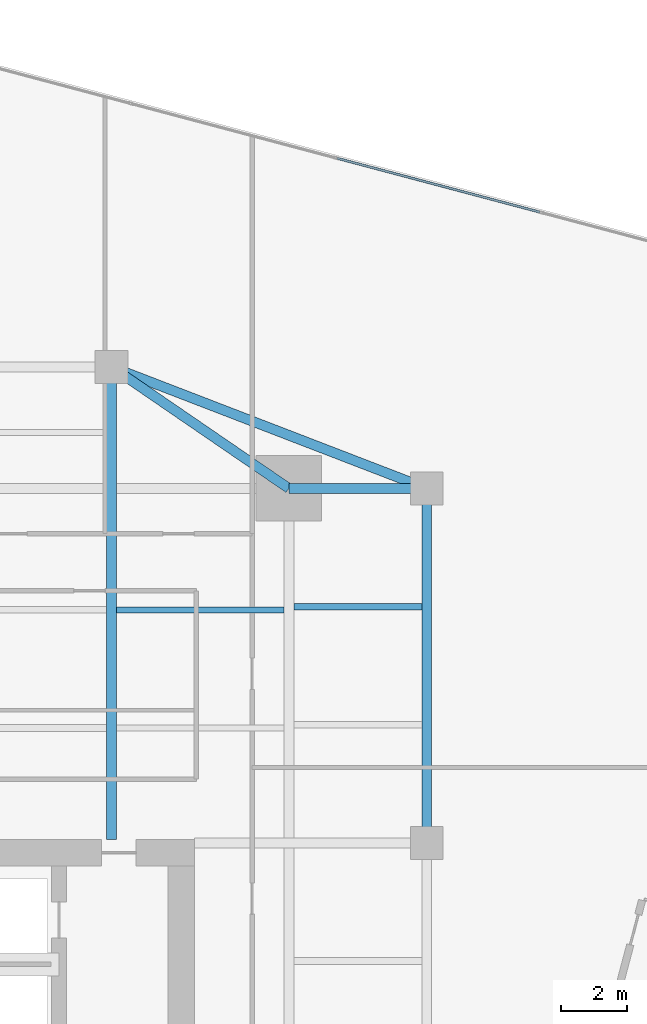
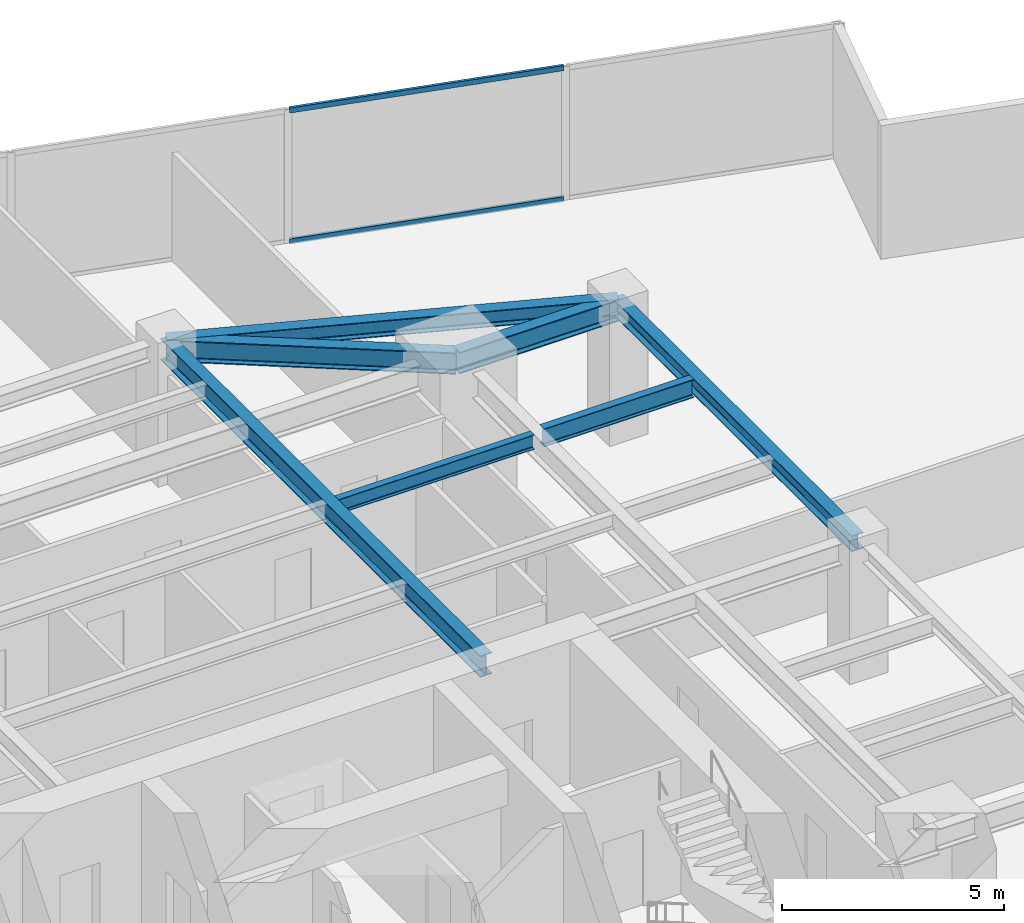
# One storey, part 19 of 27: 7 beams, 2 members, 1 element without a shape of its own.
"""IFC4 building model written with IfcOpenShell, lengths in metres."""

from ifc_helpers import new_model, si_unit, direction, frame, origin, origin_2d, place, context, subcontext, project, spatial, hollow_rectangle, i_section, extrude, source, transform, mapped, material, material_profile, profile_set, type_object, type_shapes, element, aggregate, save


model = new_model("IFC4")

# Units and contexts
model_context = context("Model", 3, precision=1e-05, world=origin(), true_north=direction((0.0, 1.0)))
body_context = subcontext(model_context, "Body", "Model", "MODEL_VIEW")
ifc_project = project(units=[si_unit("LENGTHUNIT", "METRE"), si_unit("AREAUNIT", "SQUARE_METRE"), si_unit("VOLUMEUNIT", "CUBIC_METRE"), si_unit("PLANEANGLEUNIT", "RADIAN"), si_unit("MASSUNIT", "GRAM", prefix="KILO")], contexts=[model_context])

# Site, building, storey
site_placement = place(None, origin())
site = spatial("IfcSite", under=ifc_project, at=site_placement, CompositionType="ELEMENT")
building_placement = place(site_placement, origin())
building = spatial("IfcBuilding", under=site, at=building_placement, Name="Krantzveldt Concourse Tower", CompositionType="ELEMENT")
storey_placement = place(building_placement, frame((0.0, 0.0, 101.89990234375)))
storey = spatial("IfcBuildingStorey", under=building, at=storey_placement, Name="L24", CompositionType="ELEMENT", Elevation=101.89990234375)

# Beams
ifc_material_1 = material(Name="Steel S355JR", Category="steel")
ifc_material_profile_1 = material_profile(ifc_material_1, i_section(OverallWidth=0.300048828125, OverallDepth=0.590087890625, WebThickness=0.012939453125, FlangeThickness=0.02490234375, FilletRadius=0.027099609375, at=origin_2d()), Name="Steel S355JR", Category="steel")
ifc_profile_set_1 = profile_set([ifc_material_profile_1], Name="Steel S355JR - HEA 600")
beam_type_1 = type_object("IfcBeamType", Name="BM-B-HEA600", PredefinedType="BEAM", material=ifc_profile_set_1)
shared_shape_1 = source(origin(), body_context, "Body", "SweptSolid", [
    extrude(i_section(OverallWidth=0.300048828125, OverallDepth=0.590087890625, WebThickness=0.012939453125, FlangeThickness=0.02490234375, FilletRadius=0.027099609375, at=origin_2d()), origin(), (0.0, 0.0, 1.0), 14.39990234375),
])
beam_1_placement = place(storey_placement, frame((41.39990234375, 26.800048828125, 3.375), z_axis=(0.0, 1.0, 0.0), x_axis=(-1.0, 0.0, 0.0)))
element("IfcBeam", 1, at=beam_1_placement, inside=storey, type_object=beam_type_1, Name="L24 Tower Girder BG-CNE", PredefinedType="BEAM", context=body_context, shape_type="MappedRepresentation", body=[
    mapped(shared_shape_1, transform((0.0, 0.0, 0.0), x_axis=(1.0, 0.0, 0.0), y_axis=(0.0, 1.0, 0.0), z_axis=(0.0, 0.0, 1.0), scale=1.0)),
])
ifc_material_profile_2 = material_profile(ifc_material_1, i_section(OverallWidth=0.300048828125, OverallDepth=0.43994140625, WebThickness=0.011474609375, FlangeThickness=0.02099609375, FilletRadius=0.027099609375, at=origin_2d()), Name="Steel S355JR", Category="steel")
ifc_profile_set_2 = profile_set([ifc_material_profile_2], Name="Steel S355JR - HEA 450")
beam_type_2 = type_object("IfcBeamType", Name="BM-SP-HEA450", PredefinedType="SPANDREL", material=ifc_profile_set_2)
shared_shape_2 = source(origin(), body_context, "Body", "SweptSolid", [
    extrude(i_section(OverallWidth=0.300048828125, OverallDepth=0.43994140625, WebThickness=0.011474609375, FlangeThickness=0.02099609375, FilletRadius=0.027099609375, at=origin_2d()), origin(), (0.0, 0.0, 1.0), 10.800048828125),
])
beam_2_placement = place(storey_placement, frame((51.0, 37.5, 3.4501953125), z_axis=(0.0, -1.0, 0.0), x_axis=(1.0, 0.0, 0.0)))
element("IfcBeam", 2, at=beam_2_placement, inside=storey, type_object=beam_type_2, Name="L24 Tower Girder SP-R06", PredefinedType="SPANDREL", context=body_context, shape_type="MappedRepresentation", body=[
    mapped(shared_shape_2, transform((0.0, 0.0, 0.0), x_axis=(1.0, 0.0, 0.0), y_axis=(0.0, 1.0, 0.0), z_axis=(0.0, 0.0, 1.0), scale=1.0)),
])
shared_shape_3 = source(origin(), body_context, "Body", "SweptSolid", [
    extrude(i_section(OverallWidth=0.300048828125, OverallDepth=0.43994140625, WebThickness=0.011474609375, FlangeThickness=0.02099609375, FilletRadius=0.027099609375, at=origin_2d()), origin(), (0.0, 0.0, 1.0), 10.288330078125),
])
type_shapes(beam_type_2, [shared_shape_2, shared_shape_3])
beam_3_placement = place(storey_placement, frame((41.39990234375, 41.199951171875, 3.4501953125), z_axis=(0.933097690408, -0.359622997257, 0.0), x_axis=(0.359622997257, 0.933097690408, 0.0)))
element("IfcBeam", 3, at=beam_3_placement, inside=storey, type_object=beam_type_2, Name="L24 Tower Girder SP-R05", PredefinedType="SPANDREL", context=body_context, shape_type="MappedRepresentation", body=[
    mapped(shared_shape_3, transform((0.0, 0.0, 0.0), x_axis=(1.0, 0.0, 0.0), y_axis=(0.0, 1.0, 0.0), z_axis=(0.0, 0.0, 1.0), scale=1.0)),
])
shared_shape_4 = source(origin(), body_context, "Body", "SweptSolid", [
    extrude(i_section(OverallWidth=0.300048828125, OverallDepth=0.590087890625, WebThickness=0.012939453125, FlangeThickness=0.02490234375, FilletRadius=0.027099609375, at=origin_2d()), origin(), (0.0, 0.0, 1.0), 4.199951171875),
])
beam_4_placement = place(storey_placement, frame((46.800048828125, 37.5, 3.375), z_axis=(1.0, 0.0, 0.0), x_axis=(0.0, 1.0, 0.0)))
element("IfcBeam", 4, at=beam_4_placement, inside=storey, type_object=beam_type_1, Name="L24 Tower Girder BR-RR3", PredefinedType="BEAM", context=body_context, shape_type="MappedRepresentation", body=[
    mapped(shared_shape_4, transform((0.0, 0.0, 0.0), x_axis=(1.0, 0.0, 0.0), y_axis=(0.0, 1.0, 0.0), z_axis=(0.0, 0.0, 1.0), scale=1.0)),
])
shared_shape_5 = source(origin(), body_context, "Body", "SweptSolid", [
    extrude(i_section(OverallWidth=0.300048828125, OverallDepth=0.590087890625, WebThickness=0.012939453125, FlangeThickness=0.02490234375, FilletRadius=0.027099609375, at=origin_2d()), origin(), (0.0, 0.0, 1.0), 6.546142578125),
])
type_shapes(beam_type_1, [shared_shape_1, shared_shape_4, shared_shape_5])
beam_5_placement = place(storey_placement, frame((46.800048828125, 37.5, 3.375), z_axis=(-0.824942999484, 0.565215930068, 0.0), x_axis=(-0.565215930068, -0.824942999484, 0.0)))
element("IfcBeam", 5, at=beam_5_placement, inside=storey, type_object=beam_type_1, Name="L24 Tower Girder BR-RR4", PredefinedType="BEAM", context=body_context, shape_type="MappedRepresentation", body=[
    mapped(shared_shape_5, transform((0.0, 0.0, 0.0), x_axis=(1.0, 0.0, 0.0), y_axis=(0.0, 1.0, 0.0), z_axis=(0.0, 0.0, 1.0), scale=1.0)),
])
ifc_material_profile_3 = material_profile(ifc_material_1, i_section(OverallWidth=0.179931640625, OverallDepth=0.39990234375, WebThickness=0.008544921875, FlangeThickness=0.013427734375, FilletRadius=0.02099609375, at=origin_2d()), Name="Steel S355JR", Category="steel")
ifc_profile_set_3 = profile_set([ifc_material_profile_3], Name="Steel S355JR - IPE 400")
beam_type_3 = type_object("IfcBeamType", Name="BM-J-IPE400", PredefinedType="JOIST", material=ifc_profile_set_3)
shared_shape_6 = source(origin(), body_context, "Body", "SweptSolid", [
    extrude(i_section(OverallWidth=0.179931640625, OverallDepth=0.39990234375, WebThickness=0.008544921875, FlangeThickness=0.013427734375, FilletRadius=0.02099609375, at=origin_2d()), origin(), (0.0, 0.0, 1.0), 5.099853515625),
])
type_shapes(beam_type_3, [shared_shape_6])
beam_6_placement = place(storey_placement, frame((41.550048828125, 33.800048828125, 3.47021484375), z_axis=(1.0, 0.0, 0.0), x_axis=(0.0, 1.0, 0.0)))
element("IfcBeam", 6, at=beam_6_placement, inside=storey, type_object=beam_type_3, Name="L24 Secondary Floor Joist JN-E2", PredefinedType="JOIST", context=body_context, shape_type="MappedRepresentation", body=[
    mapped(shared_shape_6, transform((0.0, 0.0, 0.0), x_axis=(1.0, 0.0, 0.0), y_axis=(0.0, 1.0, 0.0), z_axis=(0.0, 0.0, 1.0), scale=1.0)),
])
ifc_material_profile_4 = material_profile(ifc_material_1, i_section(OverallWidth=0.199951171875, OverallDepth=0.5, WebThickness=0.01025390625, FlangeThickness=0.01611328125, FilletRadius=0.02099609375, at=origin_2d()), Name="Steel S355JR", Category="steel")
ifc_profile_set_4 = profile_set([ifc_material_profile_4], Name="Steel S355JR - IPE 500")
beam_type_4 = type_object("IfcBeamType", Name="BM-J-IPE500", PredefinedType="JOIST", material=ifc_profile_set_4)
shared_shape_7 = source(origin(), body_context, "Body", "SweptSolid", [
    extrude(i_section(OverallWidth=0.199951171875, OverallDepth=0.5, WebThickness=0.01025390625, FlangeThickness=0.01611328125, FilletRadius=0.02099609375, at=origin_2d()), origin(), (0.0, 0.0, 1.0), 3.900146484375),
])
type_shapes(beam_type_4, [shared_shape_7])
beam_7_placement = place(storey_placement, frame((46.949951171875, 33.89990234375, 3.420166015625), z_axis=(1.0, 0.0, 0.0), x_axis=(0.0, 1.0, 0.0)))
element("IfcBeam", 7, at=beam_7_placement, inside=storey, type_object=beam_type_4, Name="L24 Secondary Floor Joist JE-4", PredefinedType="JOIST", context=body_context, shape_type="MappedRepresentation", body=[
    mapped(shared_shape_7, transform((0.0, 0.0, 0.0), x_axis=(1.0, 0.0, 0.0), y_axis=(0.0, 1.0, 0.0), z_axis=(0.0, 0.0, 1.0), scale=1.0)),
])

# Curtain wall, members
ifc_material_2 = material(Name="Anodised aluminium 6063-T6", Category="aluminium")
curtain_wall_type = type_object("IfcCurtainWallType", Name="CW2", PredefinedType="USERDEFINED", material=ifc_material_2)
curtain_wall_placement = place(storey_placement, origin())
curtain_wall = element("IfcCurtainWall", 8, at=curtain_wall_placement, inside=storey, type_object=curtain_wall_type, Name="CW-L24-F14", ObjectType="UNITISED CURTAIN WALL", PredefinedType="USERDEFINED")
ifc_material_profile_5 = material_profile(ifc_material_2, hollow_rectangle(XDim=0.070068359375, YDim=0.139892578125, WallThickness=0.0048828125, at=origin_2d()), Name="Anodised aluminium 6063-T6", Category="aluminium")
ifc_profile_set_5 = profile_set([ifc_material_profile_5], Name="Anodised aluminium 6063-T6 - ALU-TRAN 140x70x5")
member_type = type_object("IfcMemberType", Name="CW-TRN-150", PredefinedType="USERDEFINED", material=ifc_profile_set_5)
shared_shape_8 = source(origin(), body_context, "Body", "SweptSolid", [
    extrude(hollow_rectangle(XDim=0.070068359375, YDim=0.139892578125, WallThickness=0.0048828125, at=origin_2d()), origin(), (0.0, 0.0, 1.0), 6.396484375),
])
type_shapes(member_type, [shared_shape_8])
member_1_placement = place(storey_placement, frame((54.449951171875, 45.917724609375, 0.03515625), z_axis=(-0.966486606622, 0.256717041156, 0.0), x_axis=(-0.256717041156, -0.966486606622, 0.0)))
member_1 = element("IfcMember", 9, at=member_1_placement, type_object=member_type, Name="CW-Z12 transom 2.1", ObjectType="TRANSOM", PredefinedType="USERDEFINED", context=body_context, shape_type="MappedRepresentation", body=[
    mapped(shared_shape_8, transform((0.0, 0.0, 0.0), x_axis=(1.0, 0.0, 0.0), y_axis=(0.0, 1.0, 0.0), z_axis=(0.0, 0.0, 1.0), scale=1.0)),
])
member_2_placement = place(storey_placement, frame((54.449951171875, 45.917724609375, 3.635009765625), z_axis=(-0.966486606622, 0.256717041156, 0.0), x_axis=(-0.256717041156, -0.966486606622, 0.0)))
member_2 = element("IfcMember", 10, at=member_2_placement, type_object=member_type, Name="CW-Z12 transom 2.2", ObjectType="TRANSOM", PredefinedType="USERDEFINED", context=body_context, shape_type="MappedRepresentation", body=[
    mapped(shared_shape_8, transform((0.0, 0.0, 0.0), x_axis=(1.0, 0.0, 0.0), y_axis=(0.0, 1.0, 0.0), z_axis=(0.0, 0.0, 1.0), scale=1.0)),
])
aggregate(curtain_wall, [member_1, member_2])

save(model, "model.ifc")
